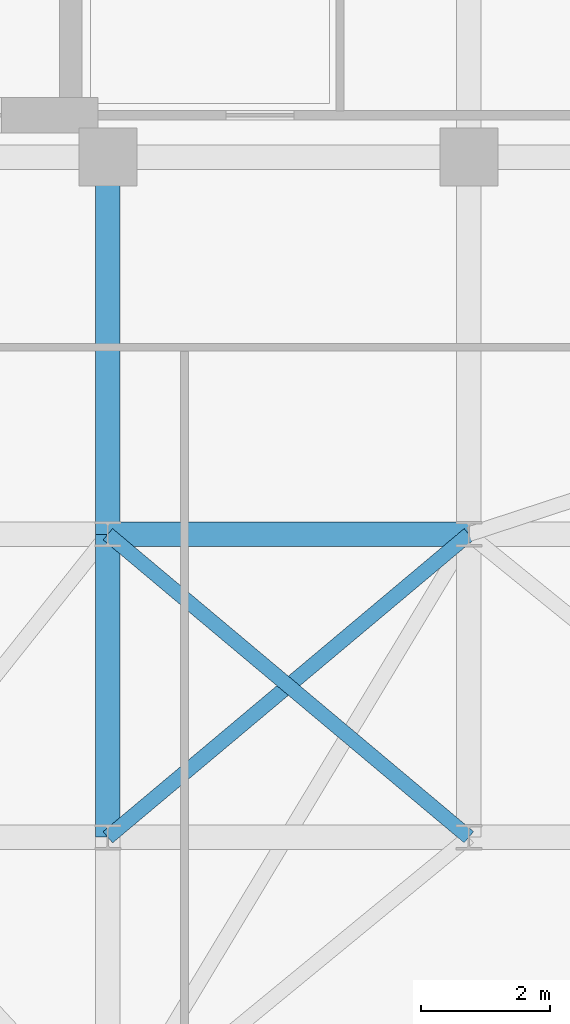
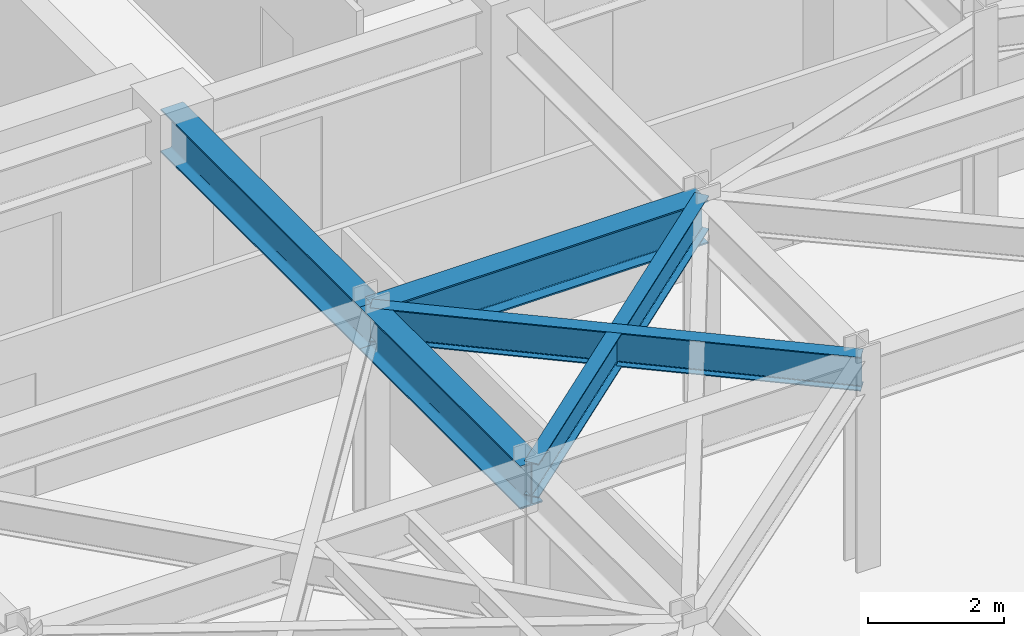
# One storey, part 11 of 27: 5 beams.
"""IFC4 building model written with IfcOpenShell, lengths in metres."""

from ifc_helpers import new_model, si_unit, direction, frame, origin, origin_2d, place, context, subcontext, project, spatial, i_section, extrude, material, material_profile, profile_set, type_object, element, save


model = new_model("IFC4")

# Units and contexts
model_context = context("Model", 3, precision=1e-05, world=origin(), true_north=direction((0.0, 1.0)))
body_context = subcontext(model_context, "Body", "Model", "MODEL_VIEW")
ifc_project = project(units=[si_unit("LENGTHUNIT", "METRE"), si_unit("AREAUNIT", "SQUARE_METRE"), si_unit("VOLUMEUNIT", "CUBIC_METRE"), si_unit("PLANEANGLEUNIT", "RADIAN"), si_unit("MASSUNIT", "GRAM", prefix="KILO")], contexts=[model_context])

# Site, building, storey
site_placement = place(None, origin())
site = spatial("IfcSite", under=ifc_project, at=site_placement, CompositionType="ELEMENT")
building_placement = place(site_placement, origin())
building = spatial("IfcBuilding", under=site, at=building_placement, Name="Kravanh Interchange Tower", CompositionType="ELEMENT")
storey_placement = place(building_placement, frame((0.0, 0.0, 196.5)))
storey = spatial("IfcBuildingStorey", under=building, at=storey_placement, Name="L47", CompositionType="ELEMENT", Elevation=196.5)

# Beams
ifc_material_1 = material(Name="Structural Steel S355", Category="steel")
ifc_material_profile_1 = material_profile(ifc_material_1, i_section(OverallWidth=0.381103515625, OverallDepth=0.77294921875, WebThickness=0.0166015625, FlangeThickness=0.027099609375, FilletRadius=0.02490234375, at=origin_2d()), Name="W30X173")
ifc_profile_set_1 = profile_set([ifc_material_profile_1], Name="Structural Steel S355")
beam_type_1 = type_object("IfcBeamType", Name="Floor Beam W30X173 Structural Steel S355", PredefinedType="BEAM", material=ifc_profile_set_1)
beam_1_placement = place(storey_placement, frame((27.199951171875, 37.35009765625, 3.368408203125), z_axis=(0.0, -1.0, 0.0), x_axis=(1.0, 0.0, 0.0)))
element("IfcBeam", 1, at=beam_1_placement, inside=storey, type_object=beam_type_1, Name="L47 Primary Floor Girder 24", PredefinedType="BEAM", context=body_context, shape_type="SweptSolid", body=[
    extrude(i_section(OverallWidth=0.381103515625, OverallDepth=0.77294921875, WebThickness=0.0166015625, FlangeThickness=0.027099609375, FilletRadius=0.02490234375, at=origin_2d()), origin(), (0.0, 0.0, 1.0), 5.85009765625),
])
beam_2_placement = place(storey_placement, frame((27.199951171875, 26.800048828125, 3.368408203125), z_axis=(0.0, 1.0, 0.0), x_axis=(-1.0, 0.0, 0.0)))
element("IfcBeam", 2, at=beam_2_placement, inside=storey, type_object=beam_type_1, Name="L47 Primary Floor Girder 38", PredefinedType="BEAM", context=body_context, shape_type="SweptSolid", body=[
    extrude(i_section(OverallWidth=0.381103515625, OverallDepth=0.77294921875, WebThickness=0.0166015625, FlangeThickness=0.027099609375, FilletRadius=0.02490234375, at=origin_2d()), origin(), (0.0, 0.0, 1.0), 4.699951171875),
])
beam_3_placement = place(storey_placement, frame((27.199951171875, 31.5, 3.368408203125), z_axis=(1.0, 0.0, 0.0), x_axis=(0.0, 1.0, 0.0)))
element("IfcBeam", 3, at=beam_3_placement, inside=storey, type_object=beam_type_1, Name="L47 Primary Floor Girder 64", PredefinedType="BEAM", context=body_context, shape_type="SweptSolid", body=[
    extrude(i_section(OverallWidth=0.381103515625, OverallDepth=0.77294921875, WebThickness=0.0166015625, FlangeThickness=0.027099609375, FilletRadius=0.02490234375, at=origin_2d()), origin(), (0.0, 0.0, 1.0), 5.60009765625),
])
ifc_material_2 = material(Name="Structural Steel S355", Category="steel")
ifc_material_profile_2 = material_profile(ifc_material_2, i_section(OverallWidth=0.22802734375, OverallDepth=0.60791015625, WebThickness=0.01123046875, FlangeThickness=0.017333984375, FilletRadius=0.02197265625, at=origin_2d()), Name="W24X76")
ifc_profile_set_2 = profile_set([ifc_material_profile_2], Name="Structural Steel S355")
beam_type_2 = type_object("IfcBeamType", Name="Floor Spandrel W24X76 Structural Steel S355", PredefinedType="SPANDREL", material=ifc_profile_set_2)
for number, where, z_axis, x_axis, name in (
    (4, (27.199951171875, 26.800048828125, 3.450927734375), (0.765983062929, 0.642860752657, 0.0), (-0.642860752657, 0.765983062929, 0.0), "L47 Perimeter Spandrel 40"),
    (5, (32.800048828125, 26.800048828125, 3.450927734375), (-0.765983062929, 0.642860752657, 0.0), (-0.642860752657, -0.765983062929, 0.0), "L47 Perimeter Spandrel 44"),
):
    element("IfcBeam", number, at=place(storey_placement, frame(where, z_axis=z_axis, x_axis=x_axis)), inside=storey, type_object=beam_type_2, Name=name, PredefinedType="SPANDREL", context=body_context, shape_type="SweptSolid", body=[
        extrude(i_section(OverallWidth=0.22802734375, OverallDepth=0.60791015625, WebThickness=0.01123046875, FlangeThickness=0.017333984375, FilletRadius=0.02197265625, at=origin_2d()), origin(), (0.0, 0.0, 1.0), 7.31103515625),
    ])

save(model, "model.ifc")
